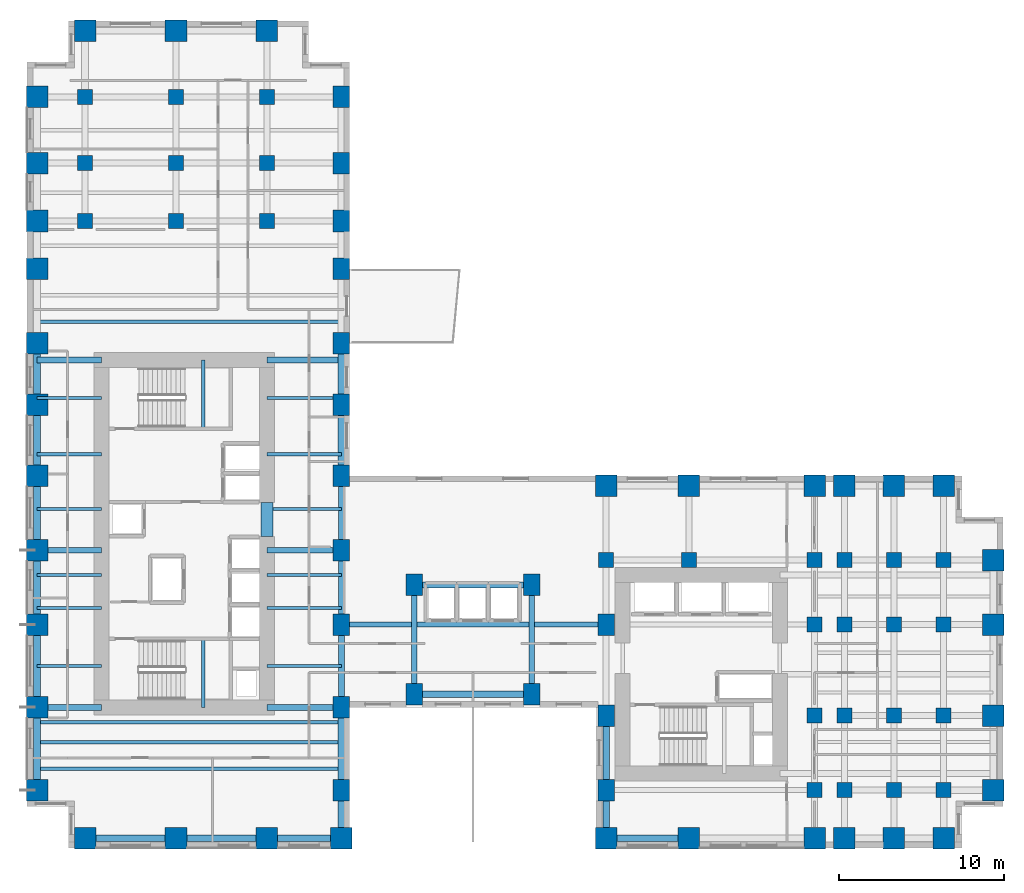
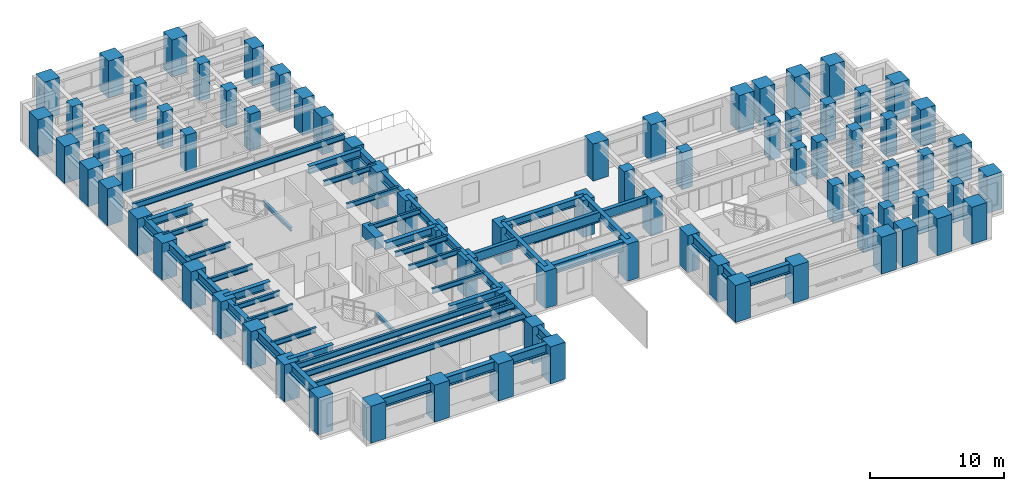
# One storey, part 1 of 12: 79 columns, 49 beams.
"""IFC4 building model written with IfcOpenShell, lengths in metres."""

from ifc_helpers import new_model, si_unit, direction, frame, origin, origin_2d, place, context, subcontext, project, spatial, rectangle, i_section, extrude, source, transform, mapped, material, material_profile, profile_set, type_object, element, save


model = new_model("IFC4")

# Units and contexts
model_context = context("Model", 3, precision=1e-05, world=origin(), true_north=direction((0.0, 1.0)))
body_context = subcontext(model_context, "Body", "Model", "MODEL_VIEW")
ifc_project = project(units=[si_unit("LENGTHUNIT", "METRE"), si_unit("AREAUNIT", "SQUARE_METRE"), si_unit("VOLUMEUNIT", "CUBIC_METRE"), si_unit("PLANEANGLEUNIT", "RADIAN"), si_unit("MASSUNIT", "GRAM", prefix="KILO")], contexts=[model_context])

# Site, building, storey
site_placement = place(None, origin())
site = spatial("IfcSite", under=ifc_project, at=site_placement, CompositionType="ELEMENT")
building_placement = place(site_placement, origin())
building = spatial("IfcBuilding", under=site, at=building_placement, Name="Kharzan Plaza Tower", CompositionType="ELEMENT")
storey_placement = place(building_placement, frame((0.0, 0.0, 26.10009765625)))
storey = spatial("IfcBuildingStorey", under=building, at=storey_placement, Name="L06", CompositionType="ELEMENT", Elevation=26.10009765625)

# Columns
ifc_material_1 = material(Name="Concrete C50/60", Category="concrete")
ifc_material_profile_1 = material_profile(ifc_material_1, rectangle(XDim=0.89990234375, YDim=0.89990234375, at=origin_2d()), Name="RC-IC900x900")
ifc_profile_set_1 = profile_set([ifc_material_profile_1], Name="Concrete C50/60")
column_type_1 = type_object("IfcColumnType", Name="COL-IC900", PredefinedType="COLUMN", material=ifc_profile_set_1)
shared_shape_1 = source(origin(), body_context, "Body", "SweptSolid", [
    extrude(rectangle(XDim=0.89990234375, YDim=0.89990234375, at=origin_2d()), origin(), (0.0, 0.0, 1.0), 3.3798828125),
])
for number, where, z_axis, x_axis, name in (
    (1, (47.60009765625, 13.5, 0.0), (0.0, 0.0, 1.0), (1.0, 0.0, 0.0), "L06 Structural Column TCBI-135"),
    (2, (47.60009765625, 3.5, 0.0), (0.0, 0.0, 1.0), (1.0, 0.0, 0.0), "L06 Structural Column TCBI-35"),
    (3, (47.60009765625, 8.0, 0.0), (0.0, 0.0, 1.0), (1.0, 0.0, 0.0), "L06 Structural Column TCBI-80"),
    (4, (35.0, 17.39990234375, 0.0), (0.0, 0.0, 1.0), (1.0, 0.0, 0.0), "L06 Structural Column TCBN-350-174"),
    (5, (40.0, 17.39990234375, 0.0), (0.0, 0.0, 1.0), (1.0, 0.0, 0.0), "L06 Structural Column TCBN-400-174"),
    (6, (47.60009765625, 17.39990234375, 0.0), (0.0, 0.0, 1.0), (1.0, 0.0, 0.0), "L06 Structural Column TCBN-476-174"),
    (7, (49.39990234375, 13.5, 0.0), (0.0, 0.0, 1.0), (1.0, 0.0, 0.0), "L06 Structural Column TCE-494-135"),
    (8, (49.39990234375, 17.39990234375, 0.0), (0.0, 0.0, 1.0), (1.0, 0.0, 0.0), "L06 Structural Column TCE-494-174"),
    (9, (49.39990234375, 3.5, 0.0), (0.0, 0.0, 1.0), (1.0, 0.0, 0.0), "L06 Structural Column TCE-494-35"),
    (10, (49.39990234375, 8.0, 0.0), (0.0, 0.0, 1.0), (1.0, 0.0, 0.0), "L06 Structural Column TCE-494-80"),
    (11, (52.39990234375, 13.5, 0.0), (0.0, 0.0, 1.0), (1.0, 0.0, 0.0), "L06 Structural Column TCE-524-135"),
    (12, (52.39990234375, 17.39990234375, 0.0), (0.0, 0.0, 1.0), (1.0, 0.0, 0.0), "L06 Structural Column TCE-524-174"),
    (13, (52.39990234375, 3.5, 0.0), (0.0, 0.0, 1.0), (1.0, 0.0, 0.0), "L06 Structural Column TCE-524-35"),
    (14, (52.39990234375, 8.0, 0.0), (0.0, 0.0, 1.0), (1.0, 0.0, 0.0), "L06 Structural Column TCE-524-80"),
    (15, (55.39990234375, 13.5, 0.0), (0.0, 0.0, 1.0), (1.0, 0.0, 0.0), "L06 Structural Column TCE-554-135"),
    (16, (55.39990234375, 17.39990234375, 0.0), (0.0, 0.0, 1.0), (1.0, 0.0, 0.0), "L06 Structural Column TCE-554-174"),
    (17, (55.39990234375, 3.5, 0.0), (0.0, 0.0, 1.0), (1.0, 0.0, 0.0), "L06 Structural Column TCE-554-35"),
    (18, (55.39990234375, 8.0, 0.0), (0.0, 0.0, 1.0), (1.0, 0.0, 0.0), "L06 Structural Column TCE-554-80"),
    (19, (14.5, 37.89990234375, 0.0), (0.0, 0.0, 1.0), (1.0, 0.0, 0.0), "L06 Structural Column TCN-145-379"),
    (20, (14.5, 41.39990234375, 0.0), (0.0, 0.0, 1.0), (1.0, 0.0, 0.0), "L06 Structural Column TCN-145-414"),
    (21, (14.5, 45.39990234375, 0.0), (0.0, 0.0, 1.0), (1.0, 0.0, 0.0), "L06 Structural Column TCN-145-454"),
    (22, (3.5, 37.89990234375, 0.0), (0.0, 0.0, 1.0), (1.0, 0.0, 0.0), "L06 Structural Column TCN-35-379"),
    (23, (3.5, 41.39990234375, 0.0), (0.0, 0.0, 1.0), (1.0, 0.0, 0.0), "L06 Structural Column TCN-35-414"),
    (24, (3.5, 45.39990234375, 0.0), (0.0, 0.0, 1.0), (1.0, 0.0, 0.0), "L06 Structural Column TCN-35-454"),
    (25, (9.0, 37.89990234375, 0.0), (0.0, 0.0, 1.0), (1.0, 0.0, 0.0), "L06 Structural Column TCN-90-379"),
    (26, (9.0, 41.39990234375, 0.0), (0.0, 0.0, 1.0), (1.0, 0.0, 0.0), "L06 Structural Column TCN-90-414"),
    (27, (9.0, 45.39990234375, 0.0), (0.0, 0.0, 1.0), (1.0, 0.0, 0.0), "L06 Structural Column TCN-90-454"),
):
    element("IfcColumn", number, at=place(storey_placement, frame(where, z_axis=z_axis, x_axis=x_axis)), inside=storey, type_object=column_type_1, Name=name, PredefinedType="COLUMN", context=body_context, shape_type="MappedRepresentation", body=[
        mapped(shared_shape_1, transform((0.0, 0.0, 0.0), x_axis=(1.0, 0.0, 0.0), y_axis=(0.0, 1.0, 0.0), z_axis=(0.0, 0.0, 1.0))),
    ])
ifc_material_2 = material(Name="Concrete C60/75", Category="concrete")
ifc_material_profile_2 = material_profile(ifc_material_2, rectangle(XDim=1.0, YDim=1.300048828125, at=origin_2d()), Name="RC-SC1300x1000")
ifc_profile_set_2 = profile_set([ifc_material_profile_2], Name="Concrete C60/75")
column_type_2 = type_object("IfcColumnType", Name="COL-SC1300", PredefinedType="COLUMN", material=ifc_profile_set_2)
shared_shape_2 = source(origin(), body_context, "Body", "SweptSolid", [
    extrude(rectangle(XDim=1.0, YDim=1.300048828125, at=origin_2d()), origin(), (0.0, 0.0, 1.0), 3.3798828125),
])
for number, where, z_axis, x_axis, name in (
    (28, (19.0, 13.5, 0.0), (0.0, 0.0, 1.0), (1.0, 0.0, 0.0), "L06 Structural Column TCA-135"),
    (29, (19.0, 18.0, 0.0), (0.0, 0.0, 1.0), (1.0, 0.0, 0.0), "L06 Structural Column TCA-180"),
    (30, (19.0, 22.5, 0.0), (0.0, 0.0, 1.0), (1.0, 0.0, 0.0), "L06 Structural Column TCA-225"),
    (31, (19.0, 26.800048828125, 0.0), (0.0, 0.0, 1.0), (1.0, 0.0, 0.0), "L06 Structural Column TCA-268"),
    (32, (19.0, 30.5, 0.0), (0.0, 0.0, 1.0), (1.0, 0.0, 0.0), "L06 Structural Column TCA-305"),
    (33, (19.0, 3.5, 0.0), (0.0, 0.0, 1.0), (1.0, 0.0, 0.0), "L06 Structural Column TCA-35"),
    (34, (19.0, 35.0, 0.0), (0.0, 0.0, 1.0), (1.0, 0.0, 0.0), "L06 Structural Column TCA-350"),
    (35, (19.0, 37.89990234375, 0.0), (0.0, 0.0, 1.0), (1.0, 0.0, 0.0), "L06 Structural Column TCA-379"),
    (36, (19.0, 41.39990234375, 0.0), (0.0, 0.0, 1.0), (1.0, 0.0, 0.0), "L06 Structural Column TCA-414"),
    (37, (19.0, 45.39990234375, 0.0), (0.0, 0.0, 1.0), (1.0, 0.0, 0.0), "L06 Structural Column TCA-454"),
    (38, (19.0, 8.5, 0.0), (0.0, 0.0, 1.0), (1.0, 0.0, 0.0), "L06 Structural Column TCA-85"),
    (39, (35.0, 13.5, 0.0), (0.0, 0.0, 1.0), (1.0, 0.0, 0.0), "L06 Structural Column TCBS-135"),
    (40, (35.0, 3.5, 0.0), (0.0, 0.0, 1.0), (1.0, 0.0, 0.0), "L06 Structural Column TCBS-35"),
    (41, (35.0, 8.0, 0.0), (0.0, 0.0, 1.0), (1.0, 0.0, 0.0), "L06 Structural Column TCBS-80"),
    (42, (23.39990234375, 15.89990234375, 0.0), (0.0, 0.0, 1.0), (1.0, 0.0, 0.0), "L06 Structural Column TCSP-234-159"),
    (43, (23.39990234375, 9.300048828125, 0.0), (0.0, 0.0, 1.0), (1.0, 0.0, 0.0), "L06 Structural Column TCSP-234-93"),
    (44, (30.5, 15.89990234375, 0.0), (0.0, 0.0, 1.0), (1.0, 0.0, 0.0), "L06 Structural Column TCSP-305-159"),
    (45, (30.5, 9.300048828125, 0.0), (0.0, 0.0, 1.0), (1.0, 0.0, 0.0), "L06 Structural Column TCSP-305-93"),
):
    element("IfcColumn", number, at=place(storey_placement, frame(where, z_axis=z_axis, x_axis=x_axis)), inside=storey, type_object=column_type_2, Name=name, PredefinedType="COLUMN", context=body_context, shape_type="MappedRepresentation", body=[
        mapped(shared_shape_2, transform((0.0, 0.0, 0.0), x_axis=(1.0, 0.0, 0.0), y_axis=(0.0, 1.0, 0.0), z_axis=(0.0, 0.0, 1.0))),
    ])
ifc_material_profile_3 = material_profile(ifc_material_2, rectangle(XDim=1.300048828125, YDim=1.300048828125, at=origin_2d()), Name="RC-TC1300x1300")
ifc_profile_set_3 = profile_set([ifc_material_profile_3], Name="Concrete C60/75")
column_type_3 = type_object("IfcColumnType", Name="COL-TC1300", PredefinedType="COLUMN", material=ifc_profile_set_3)
shared_shape_3 = source(origin(), body_context, "Body", "SweptSolid", [
    extrude(rectangle(XDim=1.300048828125, YDim=1.300048828125, at=origin_2d()), origin(), (0.0, 0.0, 1.0), 3.3798828125),
])
for number, where, z_axis, x_axis, name in (
    (46, (35.0, 21.89990234375, 0.0), (0.0, 0.0, 1.0), (1.0, 0.0, 0.0), "L06 Structural Column TCBN-350-219"),
    (47, (40.0, 21.89990234375, 0.0), (0.0, 0.0, 1.0), (1.0, 0.0, 0.0), "L06 Structural Column TCBN-400-219"),
    (48, (47.60009765625, 21.89990234375, 0.0), (0.0, 0.0, 1.0), (1.0, 0.0, 0.0), "L06 Structural Column TCBN-476-219"),
    (49, (49.39990234375, 21.89990234375, 0.0), (0.0, 0.0, 1.0), (1.0, 0.0, 0.0), "L06 Structural Column TCBN-494-219"),
    (50, (52.39990234375, 21.89990234375, 0.0), (0.0, 0.0, 1.0), (1.0, 0.0, 0.0), "L06 Structural Column TCBN-524-219"),
    (51, (55.39990234375, 21.89990234375, 0.0), (0.0, 0.0, 1.0), (1.0, 0.0, 0.0), "L06 Structural Column TCBN-554-219"),
    (52, (58.39990234375, 13.5, 0.0), (0.0, 0.0, 1.0), (1.0, 0.0, 0.0), "L06 Structural Column TCE-584-135"),
    (53, (58.39990234375, 17.39990234375, 0.0), (0.0, 0.0, 1.0), (1.0, 0.0, 0.0), "L06 Structural Column TCE-584-174"),
    (54, (58.39990234375, 3.5, 0.0), (0.0, 0.0, 1.0), (1.0, 0.0, 0.0), "L06 Structural Column TCE-584-35"),
    (55, (58.39990234375, 8.0, 0.0), (0.0, 0.0, 1.0), (1.0, 0.0, 0.0), "L06 Structural Column TCE-584-80"),
    (56, (14.5, 49.39990234375, 0.0), (0.0, 0.0, 1.0), (1.0, 0.0, 0.0), "L06 Structural Column TCN-145-494"),
    (57, (3.5, 49.39990234375, 0.0), (0.0, 0.0, 1.0), (1.0, 0.0, 0.0), "L06 Structural Column TCN-35-494"),
    (58, (9.0, 49.39990234375, 0.0), (0.0, 0.0, 1.0), (1.0, 0.0, 0.0), "L06 Structural Column TCN-90-494"),
    (59, (14.5, 0.60009765625, 0.0), (0.0, 0.0, 1.0), (1.0, 0.0, 0.0), "L06 Structural Column TCS-145"),
    (60, (19.0, 0.60009765625, 0.0), (0.0, 0.0, 1.0), (1.0, 0.0, 0.0), "L06 Structural Column TCS-190"),
    (61, (3.5, 0.60009765625, 0.0), (0.0, 0.0, 1.0), (1.0, 0.0, 0.0), "L06 Structural Column TCS-35"),
    (62, (35.0, 0.60009765625, 0.0), (0.0, 0.0, 1.0), (1.0, 0.0, 0.0), "L06 Structural Column TCS-350"),
    (63, (40.0, 0.60009765625, 0.0), (0.0, 0.0, 1.0), (1.0, 0.0, 0.0), "L06 Structural Column TCS-400"),
    (64, (47.60009765625, 0.60009765625, 0.0), (0.0, 0.0, 1.0), (1.0, 0.0, 0.0), "L06 Structural Column TCS-476"),
    (65, (49.39990234375, 0.60009765625, 0.0), (0.0, 0.0, 1.0), (1.0, 0.0, 0.0), "L06 Structural Column TCS-494"),
    (66, (52.39990234375, 0.60009765625, 0.0), (0.0, 0.0, 1.0), (1.0, 0.0, 0.0), "L06 Structural Column TCS-524"),
    (67, (55.39990234375, 0.60009765625, 0.0), (0.0, 0.0, 1.0), (1.0, 0.0, 0.0), "L06 Structural Column TCS-554"),
    (68, (9.0, 0.60009765625, 0.0), (0.0, 0.0, 1.0), (1.0, 0.0, 0.0), "L06 Structural Column TCS-90"),
    (69, (0.60009765625, 13.5, 0.0), (0.0, 0.0, 1.0), (1.0, 0.0, 0.0), "L06 Structural Column TCW-135"),
    (70, (0.60009765625, 18.0, 0.0), (0.0, 0.0, 1.0), (1.0, 0.0, 0.0), "L06 Structural Column TCW-180"),
    (71, (0.60009765625, 22.5, 0.0), (0.0, 0.0, 1.0), (1.0, 0.0, 0.0), "L06 Structural Column TCW-225"),
    (72, (0.60009765625, 26.800048828125, 0.0), (0.0, 0.0, 1.0), (1.0, 0.0, 0.0), "L06 Structural Column TCW-268"),
    (73, (0.60009765625, 30.5, 0.0), (0.0, 0.0, 1.0), (1.0, 0.0, 0.0), "L06 Structural Column TCW-305"),
    (74, (0.60009765625, 3.5, 0.0), (0.0, 0.0, 1.0), (1.0, 0.0, 0.0), "L06 Structural Column TCW-35"),
    (75, (0.60009765625, 35.0, 0.0), (0.0, 0.0, 1.0), (1.0, 0.0, 0.0), "L06 Structural Column TCW-350"),
    (76, (0.60009765625, 37.89990234375, 0.0), (0.0, 0.0, 1.0), (1.0, 0.0, 0.0), "L06 Structural Column TCW-379"),
    (77, (0.60009765625, 41.39990234375, 0.0), (0.0, 0.0, 1.0), (1.0, 0.0, 0.0), "L06 Structural Column TCW-414"),
    (78, (0.60009765625, 45.39990234375, 0.0), (0.0, 0.0, 1.0), (1.0, 0.0, 0.0), "L06 Structural Column TCW-454"),
    (79, (0.60009765625, 8.5, 0.0), (0.0, 0.0, 1.0), (1.0, 0.0, 0.0), "L06 Structural Column TCW-85"),
):
    element("IfcColumn", number, at=place(storey_placement, frame(where, z_axis=z_axis, x_axis=x_axis)), inside=storey, type_object=column_type_3, Name=name, PredefinedType="COLUMN", context=body_context, shape_type="MappedRepresentation", body=[
        mapped(shared_shape_3, transform((0.0, 0.0, 0.0), x_axis=(1.0, 0.0, 0.0), y_axis=(0.0, 1.0, 0.0), z_axis=(0.0, 0.0, 1.0))),
    ])

# Beams
ifc_material_profile_4 = material_profile(ifc_material_2, rectangle(XDim=0.699951171875, YDim=1.10009765625, at=origin_2d()), Name="RC-CB1100x700")
ifc_profile_set_4 = profile_set([ifc_material_profile_4], Name="Concrete C60/75")
beam_type_1 = type_object("IfcBeamType", Name="BM-RCCB1100", PredefinedType="LINTEL", material=ifc_profile_set_4)
shared_shape_4 = source(origin(), body_context, "Body", "SweptSolid", [
    extrude(rectangle(XDim=0.699951171875, YDim=1.10009765625, at=origin_2d()), origin(), (0.0, 0.0, 1.0), 2.059814453125),
])
beam_1_placement = place(storey_placement, frame((14.5, 18.820068359375, 2.829833984375), z_axis=(0.0, 1.0, 0.0), x_axis=(-1.0, 0.0, 0.0)))
element("IfcBeam", 80, at=beam_1_placement, inside=storey, type_object=beam_type_1, Name="L06 CORE-A RC coupling beam CB1", PredefinedType="LINTEL", context=body_context, shape_type="MappedRepresentation", body=[
    mapped(shared_shape_4, transform((0.0, 0.0, 0.0), x_axis=(1.0, 0.0, 0.0), y_axis=(0.0, 1.0, 0.0), z_axis=(0.0, 0.0, 1.0))),
])
ifc_material_3 = material(Name="Steel S355", Category="steel")
ifc_material_profile_5 = material_profile(ifc_material_3, i_section(OverallWidth=0.205078125, OverallDepth=0.35400390625, WebThickness=0.009521484375, FlangeThickness=0.016845703125, at=origin_2d()), Name="W360x79")
ifc_profile_set_5 = profile_set([ifc_material_profile_5], Name="Steel S355")
beam_type_2 = type_object("IfcBeamType", Name="BM-LNT360", PredefinedType="LINTEL", material=ifc_profile_set_5)
shared_shape_5 = source(origin(), body_context, "Body", "SweptSolid", [
    extrude(i_section(OverallWidth=0.205078125, OverallDepth=0.35400390625, WebThickness=0.009521484375, FlangeThickness=0.016845703125, at=origin_2d()), origin(), (0.0, 0.0, 1.0), 4.155029296875),
])
for number, where, z_axis, x_axis, name in (
    (81, (10.64990234375, 8.5, 1.4228515625), (0.0, 1.0, 0.0), (-1.0, 0.0, 0.0), "L06 Stair ST-1 Half-Landing Beam"),
    (82, (10.64990234375, 25.344970703125, 1.4228515625), (0.0, 1.0, 0.0), (-1.0, 0.0, 0.0), "L06 Stair ST-2 Half-Landing Beam"),
):
    element("IfcBeam", number, at=place(storey_placement, frame(where, z_axis=z_axis, x_axis=x_axis)), inside=storey, type_object=beam_type_2, Name=name, PredefinedType="LINTEL", context=body_context, shape_type="MappedRepresentation", body=[
        mapped(shared_shape_5, transform((0.0, 0.0, 0.0), x_axis=(1.0, 0.0, 0.0), y_axis=(0.0, 1.0, 0.0), z_axis=(0.0, 0.0, 1.0))),
    ])
ifc_material_profile_6 = material_profile(ifc_material_3, i_section(OverallWidth=0.304931640625, OverallDepth=0.9189453125, WebThickness=0.017333984375, FlangeThickness=0.02783203125, at=origin_2d()), Name="W920x253")
ifc_profile_set_6 = profile_set([ifc_material_profile_6], Name="Steel S355")
beam_type_3 = type_object("IfcBeamType", Name="BM-FG920B", PredefinedType="BEAM", material=ifc_profile_set_6)
shared_shape_6 = source(origin(), body_context, "Body", "SweptSolid", [
    extrude(i_section(OverallWidth=0.304931640625, OverallDepth=0.9189453125, WebThickness=0.017333984375, FlangeThickness=0.02783203125, at=origin_2d()), origin(), (0.0, 0.0, 1.0), 16.0),
])
beam_2_placement = place(storey_placement, frame((19.0, 13.5, 2.92041015625), z_axis=(1.0, 0.0, 0.0), x_axis=(0.0, 1.0, 0.0)))
element("IfcBeam", 83, at=beam_2_placement, inside=storey, type_object=beam_type_3, Name="L06 Primary Floor Girder", PredefinedType="BEAM", context=body_context, shape_type="MappedRepresentation", body=[
    mapped(shared_shape_6, transform((0.0, 0.0, 0.0), x_axis=(1.0, 0.0, 0.0), y_axis=(0.0, 1.0, 0.0), z_axis=(0.0, 0.0, 1.0))),
])
ifc_material_profile_7 = material_profile(ifc_material_3, i_section(OverallWidth=0.35498046875, OverallDepth=0.695068359375, WebThickness=0.015380859375, FlangeThickness=0.02490234375, at=origin_2d()), Name="W690x217")
ifc_profile_set_7 = profile_set([ifc_material_profile_7], Name="Steel S355")
beam_type_4 = type_object("IfcBeamType", Name="BM-FG690A", PredefinedType="BEAM", material=ifc_profile_set_7)
shared_shape_7 = source(origin(), body_context, "Body", "SweptSolid", [
    extrude(i_section(OverallWidth=0.35498046875, OverallDepth=0.695068359375, WebThickness=0.015380859375, FlangeThickness=0.02490234375, at=origin_2d()), origin(), (0.0, 0.0, 1.0), 4.5),
])
for number, where, z_axis, x_axis, name in (
    (84, (14.5, 8.5, 3.032470703125), (1.0, 0.0, 0.0), (0.0, 1.0, 0.0), "L06 Core-A East Floor Girder 1"),
    (85, (14.5, 18.0, 3.032470703125), (1.0, 0.0, 0.0), (0.0, 1.0, 0.0), "L06 Core-A East Floor Girder 2"),
    (86, (14.5, 29.5, 3.032470703125), (1.0, 0.0, 0.0), (0.0, 1.0, 0.0), "L06 Core-A East Floor Girder 3"),
    (87, (19.0, 13.5, 3.032470703125), (0.0, 1.0, 0.0), (-1.0, 0.0, 0.0), "L06 Interior Frame Girder"),
    (88, (19.0, 18.0, 3.032470703125), (0.0, 1.0, 0.0), (-1.0, 0.0, 0.0), "L06 Interior Frame Girder"),
):
    element("IfcBeam", number, at=place(storey_placement, frame(where, z_axis=z_axis, x_axis=x_axis)), inside=storey, type_object=beam_type_4, Name=name, PredefinedType="BEAM", context=body_context, shape_type="MappedRepresentation", body=[
        mapped(shared_shape_7, transform((0.0, 0.0, 0.0), x_axis=(1.0, 0.0, 0.0), y_axis=(0.0, 1.0, 0.0), z_axis=(0.0, 0.0, 1.0))),
    ])
shared_shape_8 = source(origin(), body_context, "Body", "SweptSolid", [
    extrude(i_section(OverallWidth=0.35498046875, OverallDepth=0.695068359375, WebThickness=0.015380859375, FlangeThickness=0.02490234375, at=origin_2d()), origin(), (0.0, 0.0, 1.0), 3.89990234375),
])
for number, where, z_axis, x_axis, name in (
    (89, (0.60009765625, 8.5, 3.032470703125), (1.0, 0.0, 0.0), (0.0, 1.0, 0.0), "L06 Core-A West Floor Girder 1"),
    (90, (0.60009765625, 18.0, 3.032470703125), (1.0, 0.0, 0.0), (0.0, 1.0, 0.0), "L06 Core-A West Floor Girder 2"),
    (91, (0.60009765625, 29.5, 3.032470703125), (1.0, 0.0, 0.0), (0.0, 1.0, 0.0), "L06 Core-A West Floor Girder 3"),
):
    element("IfcBeam", number, at=place(storey_placement, frame(where, z_axis=z_axis, x_axis=x_axis)), inside=storey, type_object=beam_type_4, Name=name, PredefinedType="BEAM", context=body_context, shape_type="MappedRepresentation", body=[
        mapped(shared_shape_8, transform((0.0, 0.0, 0.0), x_axis=(1.0, 0.0, 0.0), y_axis=(0.0, 1.0, 0.0), z_axis=(0.0, 0.0, 1.0))),
    ])
shared_shape_9 = source(origin(), body_context, "Body", "SweptSolid", [
    extrude(i_section(OverallWidth=0.35498046875, OverallDepth=0.695068359375, WebThickness=0.015380859375, FlangeThickness=0.02490234375, at=origin_2d()), origin(), (0.0, 0.0, 1.0), 5.0),
])
beam_3_placement = place(storey_placement, frame((19.0, 8.5, 3.032470703125), z_axis=(0.0, 1.0, 0.0), x_axis=(-1.0, 0.0, 0.0)))
element("IfcBeam", 92, at=beam_3_placement, inside=storey, type_object=beam_type_4, Name="L06 Interior Frame Girder", PredefinedType="BEAM", context=body_context, shape_type="MappedRepresentation", body=[
    mapped(shared_shape_9, transform((0.0, 0.0, 0.0), x_axis=(1.0, 0.0, 0.0), y_axis=(0.0, 1.0, 0.0), z_axis=(0.0, 0.0, 1.0))),
])
shared_shape_10 = source(origin(), body_context, "Body", "SweptSolid", [
    extrude(i_section(OverallWidth=0.35498046875, OverallDepth=0.695068359375, WebThickness=0.015380859375, FlangeThickness=0.02490234375, at=origin_2d()), origin(), (0.0, 0.0, 1.0), 6.599853515625),
])
for number, where, z_axis, x_axis, name in (
    (93, (23.39990234375, 9.300048828125, 3.032470703125), (0.0, 1.0, 0.0), (-1.0, 0.0, 0.0), "L06 Interior Frame Girder"),
    (94, (30.5, 9.300048828125, 3.032470703125), (0.0, 1.0, 0.0), (-1.0, 0.0, 0.0), "L06 Interior Frame Girder"),
):
    element("IfcBeam", number, at=place(storey_placement, frame(where, z_axis=z_axis, x_axis=x_axis)), inside=storey, type_object=beam_type_4, Name=name, PredefinedType="BEAM", context=body_context, shape_type="MappedRepresentation", body=[
        mapped(shared_shape_10, transform((0.0, 0.0, 0.0), x_axis=(1.0, 0.0, 0.0), y_axis=(0.0, 1.0, 0.0), z_axis=(0.0, 0.0, 1.0))),
    ])
shared_shape_11 = source(origin(), body_context, "Body", "SweptSolid", [
    extrude(i_section(OverallWidth=0.35498046875, OverallDepth=0.695068359375, WebThickness=0.015380859375, FlangeThickness=0.02490234375, at=origin_2d()), origin(), (0.0, 0.0, 1.0), 7.10009765625),
])
beam_4_placement = place(storey_placement, frame((23.39990234375, 15.89990234375, 3.032470703125), z_axis=(1.0, 0.0, 0.0), x_axis=(0.0, 1.0, 0.0)))
element("IfcBeam", 95, at=beam_4_placement, inside=storey, type_object=beam_type_4, Name="L06 Primary Floor Girder", PredefinedType="BEAM", context=body_context, shape_type="MappedRepresentation", body=[
    mapped(shared_shape_11, transform((0.0, 0.0, 0.0), x_axis=(1.0, 0.0, 0.0), y_axis=(0.0, 1.0, 0.0), z_axis=(0.0, 0.0, 1.0))),
])
ifc_material_profile_8 = material_profile(ifc_material_3, i_section(OverallWidth=0.2099609375, OverallDepth=0.537109375, WebThickness=0.010986328125, FlangeThickness=0.017333984375, at=origin_2d()), Name="W530x101")
ifc_profile_set_8 = profile_set([ifc_material_profile_8], Name="Steel S355")
beam_type_5 = type_object("IfcBeamType", Name="BM-JST530B", PredefinedType="JOIST", material=ifc_profile_set_8)
shared_shape_12 = source(origin(), body_context, "Body", "SweptSolid", [
    extrude(i_section(OverallWidth=0.2099609375, OverallDepth=0.537109375, WebThickness=0.010986328125, FlangeThickness=0.017333984375, at=origin_2d()), origin(), (0.0, 0.0, 1.0), 18.39990234375),
])
for number, where, z_axis, x_axis, name in (
    (96, (0.60009765625, 4.800048828125, 3.111328125), (1.0, 0.0, 0.0), (0.0, 1.0, 0.0), "L06 Wing A Composite Joist 01"),
    (97, (0.60009765625, 6.39990234375, 3.111328125), (1.0, 0.0, 0.0), (0.0, 1.0, 0.0), "L06 Wing A Composite Joist 02"),
    (98, (0.60009765625, 7.60009765625, 3.111328125), (1.0, 0.0, 0.0), (0.0, 1.0, 0.0), "L06 Wing A Composite Joist 03"),
    (99, (0.60009765625, 31.800048828125, 3.111328125), (1.0, 0.0, 0.0), (0.0, 1.0, 0.0), "L06 Wing A Composite Joist 04"),
):
    element("IfcBeam", number, at=place(storey_placement, frame(where, z_axis=z_axis, x_axis=x_axis)), inside=storey, type_object=beam_type_5, Name=name, PredefinedType="JOIST", context=body_context, shape_type="MappedRepresentation", body=[
        mapped(shared_shape_12, transform((0.0, 0.0, 0.0), x_axis=(1.0, 0.0, 0.0), y_axis=(0.0, 1.0, 0.0), z_axis=(0.0, 0.0, 1.0))),
    ])
ifc_material_profile_9 = material_profile(ifc_material_3, i_section(OverallWidth=0.194091796875, OverallDepth=0.468994140625, WebThickness=0.011474609375, FlangeThickness=0.0205078125, at=origin_2d()), Name="W460x106")
ifc_profile_set_9 = profile_set([ifc_material_profile_9], Name="Steel S355")
beam_type_6 = type_object("IfcBeamType", Name="BM-JST460", PredefinedType="JOIST", material=ifc_profile_set_9)
shared_shape_13 = source(origin(), body_context, "Body", "SweptSolid", [
    extrude(i_section(OverallWidth=0.194091796875, OverallDepth=0.468994140625, WebThickness=0.011474609375, FlangeThickness=0.0205078125, at=origin_2d()), origin(), (0.0, 0.0, 1.0), 4.5),
])
for number, where, z_axis, x_axis, name in (
    (100, (14.5, 11.0, 3.1455078125), (1.0, 0.0, 0.0), (0.0, 1.0, 0.0), "L06 Wing A East Infill Joist 1"),
    (101, (14.5, 14.5, 3.1455078125), (1.0, 0.0, 0.0), (0.0, 1.0, 0.0), "L06 Wing A East Infill Joist 2"),
    (102, (14.5, 16.5, 3.1455078125), (1.0, 0.0, 0.0), (0.0, 1.0, 0.0), "L06 Wing A East Infill Joist 3"),
    (103, (14.5, 20.5, 3.1455078125), (1.0, 0.0, 0.0), (0.0, 1.0, 0.0), "L06 Wing A East Infill Joist 4"),
    (104, (14.5, 23.800048828125, 3.1455078125), (1.0, 0.0, 0.0), (0.0, 1.0, 0.0), "L06 Wing A East Infill Joist 5"),
    (105, (14.5, 27.199951171875, 3.1455078125), (1.0, 0.0, 0.0), (0.0, 1.0, 0.0), "L06 Wing A East Infill Joist 6"),
):
    element("IfcBeam", number, at=place(storey_placement, frame(where, z_axis=z_axis, x_axis=x_axis)), inside=storey, type_object=beam_type_6, Name=name, PredefinedType="JOIST", context=body_context, shape_type="MappedRepresentation", body=[
        mapped(shared_shape_13, transform((0.0, 0.0, 0.0), x_axis=(1.0, 0.0, 0.0), y_axis=(0.0, 1.0, 0.0), z_axis=(0.0, 0.0, 1.0))),
    ])
shared_shape_14 = source(origin(), body_context, "Body", "SweptSolid", [
    extrude(i_section(OverallWidth=0.194091796875, OverallDepth=0.468994140625, WebThickness=0.011474609375, FlangeThickness=0.0205078125, at=origin_2d()), origin(), (0.0, 0.0, 1.0), 3.89990234375),
])
for number, where, z_axis, x_axis, name in (
    (106, (0.60009765625, 11.0, 3.1455078125), (1.0, 0.0, 0.0), (0.0, 1.0, 0.0), "L06 Wing A West Infill Joist 1"),
    (107, (0.60009765625, 14.5, 3.1455078125), (1.0, 0.0, 0.0), (0.0, 1.0, 0.0), "L06 Wing A West Infill Joist 2"),
    (108, (0.60009765625, 16.5, 3.1455078125), (1.0, 0.0, 0.0), (0.0, 1.0, 0.0), "L06 Wing A West Infill Joist 3"),
    (109, (0.60009765625, 20.5, 3.1455078125), (1.0, 0.0, 0.0), (0.0, 1.0, 0.0), "L06 Wing A West Infill Joist 4"),
    (110, (0.60009765625, 23.800048828125, 3.1455078125), (1.0, 0.0, 0.0), (0.0, 1.0, 0.0), "L06 Wing A West Infill Joist 5"),
    (111, (0.60009765625, 27.199951171875, 3.1455078125), (1.0, 0.0, 0.0), (0.0, 1.0, 0.0), "L06 Wing A West Infill Joist 6"),
):
    element("IfcBeam", number, at=place(storey_placement, frame(where, z_axis=z_axis, x_axis=x_axis)), inside=storey, type_object=beam_type_6, Name=name, PredefinedType="JOIST", context=body_context, shape_type="MappedRepresentation", body=[
        mapped(shared_shape_14, transform((0.0, 0.0, 0.0), x_axis=(1.0, 0.0, 0.0), y_axis=(0.0, 1.0, 0.0), z_axis=(0.0, 0.0, 1.0))),
    ])
ifc_material_profile_10 = material_profile(ifc_material_3, i_section(OverallWidth=0.40087890625, OverallDepth=0.85498046875, WebThickness=0.018310546875, FlangeThickness=0.029296875, at=origin_2d()), Name="W840x299")
ifc_profile_set_10 = profile_set([ifc_material_profile_10], Name="Steel S355")
beam_type_7 = type_object("IfcBeamType", Name="BM-SP840A", PredefinedType="SPANDREL", material=ifc_profile_set_10)
shared_shape_15 = source(origin(), body_context, "Body", "SweptSolid", [
    extrude(i_section(OverallWidth=0.40087890625, OverallDepth=0.85498046875, WebThickness=0.018310546875, FlangeThickness=0.029296875, at=origin_2d()), origin(), (0.0, 0.0, 1.0), 5.0),
])
for number, where, z_axis, x_axis, name in (
    (112, (0.60009765625, 3.5, 2.952392578125), (0.0, 1.0, 0.0), (-1.0, 0.0, 0.0), "L06 Perimeter Tube Spandrel"),
    (113, (0.60009765625, 8.5, 2.952392578125), (0.0, 1.0, 0.0), (-1.0, 0.0, 0.0), "L06 Perimeter Tube Spandrel"),
    (114, (19.0, 3.5, 2.952392578125), (0.0, 1.0, 0.0), (-1.0, 0.0, 0.0), "L06 Perimeter Tube Spandrel"),
    (115, (35.0, 0.60009765625, 2.952392578125), (1.0, 0.0, 0.0), (0.0, 1.0, 0.0), "L06 Perimeter Tube Spandrel"),
):
    element("IfcBeam", number, at=place(storey_placement, frame(where, z_axis=z_axis, x_axis=x_axis)), inside=storey, type_object=beam_type_7, Name=name, PredefinedType="SPANDREL", context=body_context, shape_type="MappedRepresentation", body=[
        mapped(shared_shape_15, transform((0.0, 0.0, 0.0), x_axis=(1.0, 0.0, 0.0), y_axis=(0.0, 1.0, 0.0), z_axis=(0.0, 0.0, 1.0))),
    ])
shared_shape_16 = source(origin(), body_context, "Body", "SweptSolid", [
    extrude(i_section(OverallWidth=0.40087890625, OverallDepth=0.85498046875, WebThickness=0.018310546875, FlangeThickness=0.029296875, at=origin_2d()), origin(), (0.0, 0.0, 1.0), 4.5),
])
for number, where, z_axis, x_axis, name in (
    (116, (0.60009765625, 13.5, 2.952392578125), (0.0, 1.0, 0.0), (-1.0, 0.0, 0.0), "L06 Perimeter Tube Spandrel"),
    (117, (0.60009765625, 18.0, 2.952392578125), (0.0, 1.0, 0.0), (-1.0, 0.0, 0.0), "L06 Perimeter Tube Spandrel"),
    (118, (35.0, 3.5, 2.952392578125), (0.0, 1.0, 0.0), (-1.0, 0.0, 0.0), "L06 Perimeter Tube Spandrel"),
    (119, (14.5, 0.60009765625, 2.952392578125), (1.0, 0.0, 0.0), (0.0, 1.0, 0.0), "L06 Perimeter Tube Spandrel"),
):
    element("IfcBeam", number, at=place(storey_placement, frame(where, z_axis=z_axis, x_axis=x_axis)), inside=storey, type_object=beam_type_7, Name=name, PredefinedType="SPANDREL", context=body_context, shape_type="MappedRepresentation", body=[
        mapped(shared_shape_16, transform((0.0, 0.0, 0.0), x_axis=(1.0, 0.0, 0.0), y_axis=(0.0, 1.0, 0.0), z_axis=(0.0, 0.0, 1.0))),
    ])
shared_shape_17 = source(origin(), body_context, "Body", "SweptSolid", [
    extrude(i_section(OverallWidth=0.40087890625, OverallDepth=0.85498046875, WebThickness=0.018310546875, FlangeThickness=0.029296875, at=origin_2d()), origin(), (0.0, 0.0, 1.0), 4.300048828125),
])
for number, where, z_axis, x_axis, name in (
    (120, (0.60009765625, 22.5, 2.952392578125), (0.0, 1.0, 0.0), (-1.0, 0.0, 0.0), "L06 Perimeter Tube Spandrel"),
    (121, (19.0, 22.5, 2.952392578125), (0.0, 1.0, 0.0), (-1.0, 0.0, 0.0), "L06 Perimeter Tube Spandrel"),
):
    element("IfcBeam", number, at=place(storey_placement, frame(where, z_axis=z_axis, x_axis=x_axis)), inside=storey, type_object=beam_type_7, Name=name, PredefinedType="SPANDREL", context=body_context, shape_type="MappedRepresentation", body=[
        mapped(shared_shape_17, transform((0.0, 0.0, 0.0), x_axis=(1.0, 0.0, 0.0), y_axis=(0.0, 1.0, 0.0), z_axis=(0.0, 0.0, 1.0))),
    ])
shared_shape_18 = source(origin(), body_context, "Body", "SweptSolid", [
    extrude(i_section(OverallWidth=0.40087890625, OverallDepth=0.85498046875, WebThickness=0.018310546875, FlangeThickness=0.029296875, at=origin_2d()), origin(), (0.0, 0.0, 1.0), 3.699951171875),
])
for number, where, z_axis, x_axis, name in (
    (122, (0.60009765625, 26.800048828125, 2.952392578125), (0.0, 1.0, 0.0), (-1.0, 0.0, 0.0), "L06 Perimeter Tube Spandrel"),
    (123, (19.0, 26.800048828125, 2.952392578125), (0.0, 1.0, 0.0), (-1.0, 0.0, 0.0), "L06 Perimeter Tube Spandrel"),
):
    element("IfcBeam", number, at=place(storey_placement, frame(where, z_axis=z_axis, x_axis=x_axis)), inside=storey, type_object=beam_type_7, Name=name, PredefinedType="SPANDREL", context=body_context, shape_type="MappedRepresentation", body=[
        mapped(shared_shape_18, transform((0.0, 0.0, 0.0), x_axis=(1.0, 0.0, 0.0), y_axis=(0.0, 1.0, 0.0), z_axis=(0.0, 0.0, 1.0))),
    ])
shared_shape_19 = source(origin(), body_context, "Body", "SweptSolid", [
    extrude(i_section(OverallWidth=0.40087890625, OverallDepth=0.85498046875, WebThickness=0.018310546875, FlangeThickness=0.029296875, at=origin_2d()), origin(), (0.0, 0.0, 1.0), 2.89990234375),
])
for number, where, z_axis, x_axis, name in (
    (124, (19.0, 0.60009765625, 2.952392578125), (0.0, 1.0, 0.0), (-1.0, 0.0, 0.0), "L06 Perimeter Tube Spandrel"),
    (125, (35.0, 0.60009765625, 2.952392578125), (0.0, 1.0, 0.0), (-1.0, 0.0, 0.0), "L06 Perimeter Tube Spandrel"),
):
    element("IfcBeam", number, at=place(storey_placement, frame(where, z_axis=z_axis, x_axis=x_axis)), inside=storey, type_object=beam_type_7, Name=name, PredefinedType="SPANDREL", context=body_context, shape_type="MappedRepresentation", body=[
        mapped(shared_shape_19, transform((0.0, 0.0, 0.0), x_axis=(1.0, 0.0, 0.0), y_axis=(0.0, 1.0, 0.0), z_axis=(0.0, 0.0, 1.0))),
    ])
shared_shape_20 = source(origin(), body_context, "Body", "SweptSolid", [
    extrude(i_section(OverallWidth=0.40087890625, OverallDepth=0.85498046875, WebThickness=0.018310546875, FlangeThickness=0.029296875, at=origin_2d()), origin(), (0.0, 0.0, 1.0), 5.5),
])
for number, where, z_axis, x_axis, name in (
    (126, (3.5, 0.60009765625, 2.952392578125), (1.0, 0.0, 0.0), (0.0, 1.0, 0.0), "L06 Perimeter Tube Spandrel"),
    (127, (9.0, 0.60009765625, 2.952392578125), (1.0, 0.0, 0.0), (0.0, 1.0, 0.0), "L06 Perimeter Tube Spandrel"),
):
    element("IfcBeam", number, at=place(storey_placement, frame(where, z_axis=z_axis, x_axis=x_axis)), inside=storey, type_object=beam_type_7, Name=name, PredefinedType="SPANDREL", context=body_context, shape_type="MappedRepresentation", body=[
        mapped(shared_shape_20, transform((0.0, 0.0, 0.0), x_axis=(1.0, 0.0, 0.0), y_axis=(0.0, 1.0, 0.0), z_axis=(0.0, 0.0, 1.0))),
    ])
shared_shape_21 = source(origin(), body_context, "Body", "SweptSolid", [
    extrude(i_section(OverallWidth=0.40087890625, OverallDepth=0.85498046875, WebThickness=0.018310546875, FlangeThickness=0.029296875, at=origin_2d()), origin(), (0.0, 0.0, 1.0), 7.10009765625),
])
beam_5_placement = place(storey_placement, frame((23.39990234375, 9.300048828125, 2.952392578125), z_axis=(1.0, 0.0, 0.0), x_axis=(0.0, 1.0, 0.0)))
element("IfcBeam", 128, at=beam_5_placement, inside=storey, type_object=beam_type_7, Name="L06 Perimeter Tube Spandrel", PredefinedType="SPANDREL", context=body_context, shape_type="MappedRepresentation", body=[
    mapped(shared_shape_21, transform((0.0, 0.0, 0.0), x_axis=(1.0, 0.0, 0.0), y_axis=(0.0, 1.0, 0.0), z_axis=(0.0, 0.0, 1.0))),
])

save(model, "model.ifc")
